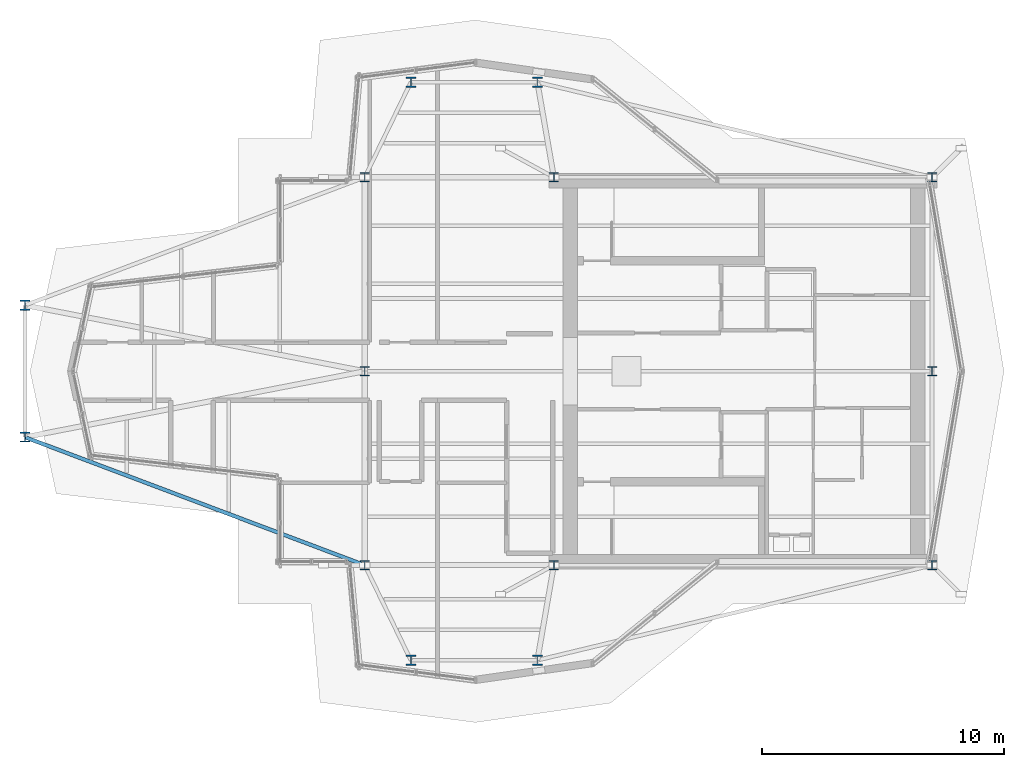
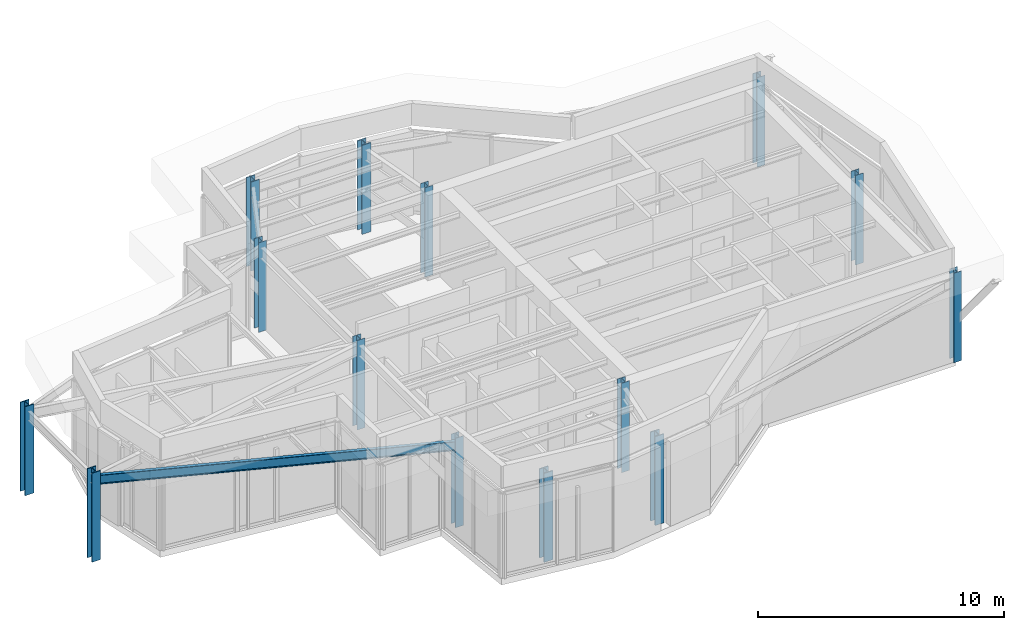
# One storey, part 1 of 11: 14 columns, 1 beam.
"""IFC4 building model written with IfcOpenShell, lengths in metres."""

from ifc_helpers import new_model, si_unit, direction, frame, origin, origin_2d, place, context, subcontext, project, spatial, i_section, extrude, material, material_profile, profile_set, type_object, element, save


model = new_model("IFC4")

# Units and contexts
model_context = context("Model", 3, precision=1e-05, world=origin(), true_north=direction((0.0, 1.0)))
body_context = subcontext(model_context, "Body", "Model", "MODEL_VIEW")
ifc_project = project(units=[si_unit("LENGTHUNIT", "METRE"), si_unit("AREAUNIT", "SQUARE_METRE"), si_unit("VOLUMEUNIT", "CUBIC_METRE"), si_unit("PLANEANGLEUNIT", "RADIAN"), si_unit("MASSUNIT", "GRAM", prefix="KILO")], contexts=[model_context])

# Site, building, storey
site_placement = place(None, origin())
site = spatial("IfcSite", under=ifc_project, at=site_placement, CompositionType="ELEMENT")
building_placement = place(site_placement, origin())
building = spatial("IfcBuilding", under=site, at=building_placement, Name="Veymaron Broadcast Tower", CompositionType="ELEMENT")
storey_placement = place(building_placement, frame((0.0, 0.0, 336.89990234375)))
storey = spatial("IfcBuildingStorey", under=building, at=storey_placement, Name="L79", CompositionType="ELEMENT", Elevation=336.89990234375)

# Columns
ifc_material_1 = material(Name="Structural steel ASTM A992 Gr 50", Category="steel")
ifc_material_profile_1 = material_profile(ifc_material_1, i_section(OverallWidth=0.373046875, OverallDepth=0.367919921875, WebThickness=0.014892578125, FlangeThickness=0.02392578125, at=origin_2d()), Name="W360X179")
ifc_profile_set_1 = profile_set([ifc_material_profile_1], Name="Structural steel ASTM A992 Gr 50")
column_type_1 = type_object("IfcColumnType", Name="COL-HC4", PredefinedType="COLUMN", material=ifc_profile_set_1)
for number, where, z_axis, x_axis, name in (
    (1, (31.199951171875, 16.0, 0.0), (0.0, 0.0, 1.0), (1.0, 0.0, 0.0), "L79 structural hub and core column"),
    (2, (31.199951171875, 24.0, 0.0), (0.0, 0.0, 1.0), (1.0, 0.0, 0.0), "L79 structural hub and core column"),
    (3, (31.199951171875, 32.0, 0.0), (0.0, 0.0, 1.0), (1.0, 0.0, 0.0), "L79 structural hub and core column"),
    (4, (39.0, 16.0, 0.0), (0.0, 0.0, 1.0), (1.0, 0.0, 0.0), "L79 structural hub and core column"),
    (5, (39.0, 32.0, 0.0), (0.0, 0.0, 1.0), (1.0, 0.0, 0.0), "L79 structural hub and core column"),
    (6, (54.60009765625, 16.0, 0.0), (0.0, 0.0, 1.0), (1.0, 0.0, 0.0), "L79 structural hub and core column"),
    (7, (54.60009765625, 24.0, 0.0), (0.0, 0.0, 1.0), (1.0, 0.0, 0.0), "L79 structural hub and core column"),
    (8, (54.60009765625, 32.0, 0.0), (0.0, 0.0, 1.0), (1.0, 0.0, 0.0), "L79 structural hub and core column"),
):
    element("IfcColumn", number, at=place(storey_placement, frame(where, z_axis=z_axis, x_axis=x_axis)), inside=storey, type_object=column_type_1, Name=name, PredefinedType="COLUMN", context=body_context, shape_type="SweptSolid", body=[
        extrude(i_section(OverallWidth=0.373046875, OverallDepth=0.367919921875, WebThickness=0.014892578125, FlangeThickness=0.02392578125, at=origin_2d()), origin(), (0.0, 0.0, 1.0), 4.444091796875),
    ])
ifc_material_2 = material(Name="Structural steel ASTM A913 Gr 65", Category="steel")
ifc_material_profile_2 = material_profile(ifc_material_2, i_section(OverallWidth=0.406005859375, OverallDepth=0.416015625, WebThickness=0.02978515625, FlangeThickness=0.048095703125, at=origin_2d()), Name="W360X382")
ifc_profile_set_2 = profile_set([ifc_material_profile_2], Name="Structural steel ASTM A913 Gr 65")
column_type_2 = type_object("IfcColumnType", Name="COL-MC4", PredefinedType="COLUMN", material=ifc_profile_set_2)
for number, where, z_axis, x_axis, name in (
    (9, (17.18408203125, 21.280029296875, 0.01611328125), (0.0, 0.0, 1.0), (1.0, 0.0, 0.0), "L79 Tapered Wing Mega Column"),
    (10, (17.18408203125, 26.719970703125, 0.01611328125), (0.0, 0.0, 1.0), (1.0, 0.0, 0.0), "L79 Tapered Wing Mega Column"),
    (11, (33.10400390625, 35.919921875, 0.01611328125), (0.0, 0.0, 1.0), (1.0, 0.0, 0.0), "L79 Tapered Wing Mega Column"),
    (12, (38.320068359375, 35.919921875, 0.01611328125), (0.0, 0.0, 1.0), (1.0, 0.0, 0.0), "L79 Tapered Wing Mega Column"),
    (13, (33.10400390625, 12.080078125, 0.01611328125), (0.0, 0.0, 1.0), (1.0, 0.0, 0.0), "L79 Tapered Wing Mega Column"),
    (14, (38.320068359375, 12.080078125, 0.01611328125), (0.0, 0.0, 1.0), (1.0, 0.0, 0.0), "L79 Tapered Wing Mega Column"),
):
    element("IfcColumn", number, at=place(storey_placement, frame(where, z_axis=z_axis, x_axis=x_axis)), inside=storey, type_object=column_type_2, Name=name, PredefinedType="COLUMN", context=body_context, shape_type="SweptSolid", body=[
        extrude(i_section(OverallWidth=0.406005859375, OverallDepth=0.416015625, WebThickness=0.02978515625, FlangeThickness=0.048095703125, at=origin_2d()), origin(), (0.0, 0.0, 1.0), 4.41796875),
    ])

# Beam
ifc_material_profile_3 = material_profile(ifc_material_1, i_section(OverallWidth=0.154052734375, OverallDepth=0.458984375, WebThickness=0.009033203125, FlangeThickness=0.015380859375, at=origin_2d()), Name="W460X68")
ifc_profile_set_3 = profile_set([ifc_material_profile_3], Name="Structural steel ASTM A992 Gr 50")
beam_type = type_object("IfcBeamType", Name="BM-SP2", PredefinedType="SPANDREL", material=ifc_profile_set_3)
beam_placement = place(storey_placement, frame((17.18408203125, 21.280029296875, 3.940673828125), z_axis=(0.935799576277, -0.352532485083, 0.0), x_axis=(0.352532485083, 0.935799576277, 0.0)))
element("IfcBeam", 15, at=beam_placement, inside=storey, type_object=beam_type, Name="L79 primary structural floor girder", PredefinedType="SPANDREL", context=body_context, shape_type="SweptSolid", body=[
    extrude(i_section(OverallWidth=0.154052734375, OverallDepth=0.458984375, WebThickness=0.009033203125, FlangeThickness=0.015380859375, at=origin_2d()), origin(), (0.0, 0.0, 1.0), 14.9775390625),
])

save(model, "model.ifc")
